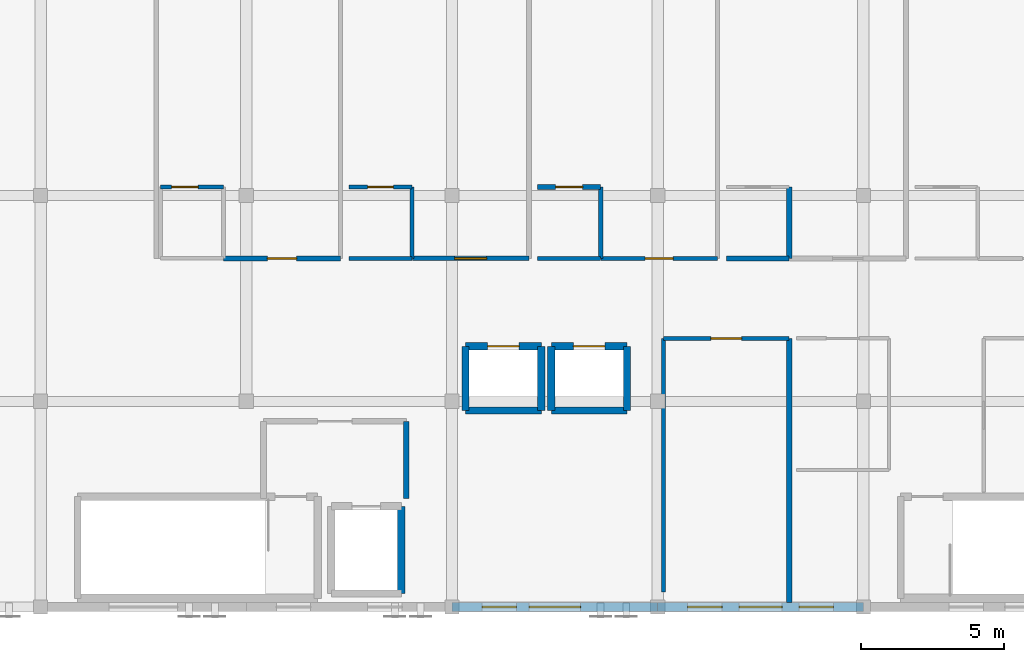
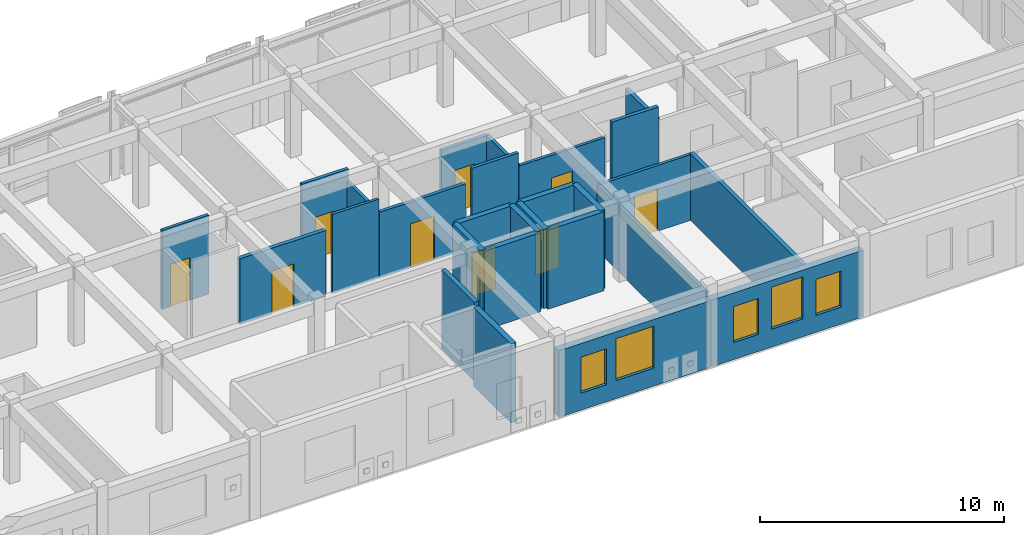
# One storey, part 21 of 24: 27 walls, 9 doors, 5 windows, 14 openings.
"""IFC4 building model written with IfcOpenShell, lengths in metres."""

import ifcopenshell
import ifcopenshell.guid

model = None  # the IFC model being written
_history = None  # IfcOwnerHistory: only IFC2X3 demands one
_inside = {}  # id of a spatial element -> (the spatial element, [elements in it])
_under = {}  # id of a project, library or spatial element -> (it, [spatial elements below it])
_declared = {}  # id of a project -> (the project, [libraries it declares])
_typed = {}  # id of a type object -> (the type object, [elements of that type])
_made_of = {}  # id of a material, layer set ... -> (it, [elements and type objects made of it])


def new_model(schema):
    """Start an empty IFC model of exactly this schema.

    Asked for "IFC4X3", IfcOpenShell would pick the latest addendum, in which some entities
    have other attributes; the version numbers below select the first issue.
    IFC2X3 requires an IfcOwnerHistory on every rooted entity: one is made here for all.
    """
    global model, _history
    if schema == "IFC4X3":
        model = ifcopenshell.file(schema_version=(4, 3, 0, 0))
    else:
        model = ifcopenshell.file(schema=schema)
    _inside.clear()
    _under.clear()
    _declared.clear()
    _typed.clear()
    _made_of.clear()
    _history = None
    if model.schema == "IFC2X3":
        org = make("IfcOrganization", Name="unknown")
        user = make(
            "IfcPersonAndOrganization",
            ThePerson=make("IfcPerson", FamilyName="unknown"),
            TheOrganization=org,
        )
        app = make(
            "IfcApplication",
            ApplicationDeveloper=org,
            Version="unknown",
            ApplicationFullName="unknown",
            ApplicationIdentifier="unknown",
        )
        _history = make(
            "IfcOwnerHistory",
            OwningUser=user,
            OwningApplication=app,
            ChangeAction="ADDED",
            CreationDate=0,
        )
    return model


def make(cls, **values):
    """One entity of the class cls with the attributes given. An attribute that is None is left unset."""
    return model.create_entity(
        cls, **{name: value for name, value in values.items() if value is not None}
    )


def rooted(cls, **values):
    """An entity with a GlobalId (a new one), such as an element, a storey or a relation."""
    return make(cls, GlobalId=ifcopenshell.guid.new(), OwnerHistory=_history, **values)


def si_unit(unit_type, name, prefix=None):
    """IfcSIUnit, for example si_unit("LENGTHUNIT", "METRE", prefix="MILLI")."""
    return make("IfcSIUnit", UnitType=unit_type, Prefix=prefix, Name=name)


def assignment(units):
    """IfcUnitAssignment: the units of a project."""
    return None if units is None else make("IfcUnitAssignment", Units=units)


def point(xyz):
    """IfcCartesianPoint."""
    return None if xyz is None else make("IfcCartesianPoint", Coordinates=xyz)


def direction(xyz):
    """IfcDirection."""
    return None if xyz is None else make("IfcDirection", DirectionRatios=xyz)


def frame(location, z_axis=None, x_axis=None):
    """IfcAxis2Placement3D, a coordinate frame: its origin and axes. An axis left out is left unset."""
    return make(
        "IfcAxis2Placement3D",
        Location=point(location),
        Axis=direction(z_axis),
        RefDirection=direction(x_axis),
    )


def frame_2d(location, x_axis=None):
    """IfcAxis2Placement2D, a coordinate frame in the plane: its origin and x axis."""
    return make(
        "IfcAxis2Placement2D", Location=point(location), RefDirection=direction(x_axis)
    )


def origin():
    """The frame at (0, 0, 0) with its axes left unset."""
    return frame((0.0, 0.0, 0.0))


def place(relative_to, where):
    """IfcLocalPlacement: puts the frame where relative to a parent placement (None: the world)."""
    return make(
        "IfcLocalPlacement", PlacementRelTo=relative_to, RelativePlacement=where
    )


def context(
    kind, dimensions, precision=None, world=None, true_north=None, identifier=None
):
    """IfcGeometricRepresentationContext, for example the 3D "Model" context."""
    return make(
        "IfcGeometricRepresentationContext",
        ContextIdentifier=identifier,
        ContextType=kind,
        CoordinateSpaceDimension=dimensions,
        Precision=precision,
        WorldCoordinateSystem=world,
        TrueNorth=true_north,
    )


def subcontext(parent, identifier, kind, view, scale=None):
    """IfcGeometricRepresentationSubContext, for example "Body" below "Model"."""
    return make(
        "IfcGeometricRepresentationSubContext",
        ContextIdentifier=identifier,
        ContextType=kind,
        ParentContext=parent,
        TargetScale=scale,
        TargetView=view,
    )


def project(units=None, contexts=None):
    """IfcProject with its units and contexts."""
    return rooted(
        "IfcProject",
        Name="project",
        RepresentationContexts=contexts,
        UnitsInContext=assignment(units),
    )


def spatial(cls, under=None, at=None, **own):
    """A site, building, storey or space (cls), placed at a placement, below another one or the project."""
    s = rooted(cls, ObjectPlacement=at, **own)
    if under is not None:
        _under.setdefault(under.id(), (under, []))[1].append(s)
    return s


def profile(cls, at=None, kind="AREA", **sizes):
    """A parametric profile (cls). Its sizes go by their IFC names, for example OverallWidth=200.0."""
    return make(cls, ProfileType=kind, Position=at, **sizes)


def rectangle(**sizes):
    """IfcRectangleProfileDef."""
    return profile("IfcRectangleProfileDef", **sizes)


def extrude(swept, where, along, depth):
    """IfcExtrudedAreaSolid: the profile swept, set in the frame where, extruded along a direction by depth."""
    return make(
        "IfcExtrudedAreaSolid",
        SweptArea=swept,
        Position=where,
        ExtrudedDirection=direction(along),
        Depth=depth,
    )


def shape(context_of_items, identifier, shape_type, items):
    """IfcShapeRepresentation: the items that make up one representation, for example the "Body"."""
    return make(
        "IfcShapeRepresentation",
        ContextOfItems=context_of_items,
        RepresentationIdentifier=identifier,
        RepresentationType=shape_type,
        Items=items,
    )


def material(Name=None, Category=None):
    """IfcMaterial."""
    return make("IfcMaterial", Name=Name, Category=Category)


def layer(
    of_material, thickness, ventilated=None, Name=None, Category=None, Priority=None
):
    """IfcMaterialLayer: one layer of a wall or slab, of a material (None: an air gap)."""
    return make(
        "IfcMaterialLayer",
        Material=of_material,
        LayerThickness=thickness,
        IsVentilated=ventilated,
        Name=Name,
        Category=Category,
        Priority=Priority,
    )


def layer_set(layers, Name=None):
    """IfcMaterialLayerSet."""
    return make("IfcMaterialLayerSet", MaterialLayers=layers, LayerSetName=Name)


def made_of(thing, what):
    """Note that an element or type object is made of a material, layer set ...; save() writes the relation."""
    if what is not None:
        _made_of.setdefault(what.id(), (what, []))[1].append(thing)
    return thing


def type_object(cls, material=None, **own):
    """A type object (cls), such as IfcWallType, which elements share."""
    return made_of(rooted(cls, **own), material)


def element(
    cls,
    number,
    at=None,
    inside=None,
    cuts=None,
    type_object=None,
    material=None,
    context=None,
    identifier="Body",
    shape_type=None,
    held_by="IfcProductDefinitionShape",
    body=None,
    shapes=None,
    **own,
):
    """One element of the class cls, such as IfcWall. Its Tag is "e" and its number.

    at: its placement. inside: the storey or other place that contains it. cuts: it is an
    opening in that element (IfcRelVoidsElement). A single representation is given by context,
    identifier, shape_type and body (its items); several are given by shapes. held_by: the class
    of the entity that holds the representations. save() writes the other relations.
    """
    e = rooted(cls, Tag="e%d" % number, ObjectPlacement=at, **own)
    if body is not None:
        shapes = [shape(context, identifier, shape_type, body)]
    if shapes is not None:
        e.Representation = make(held_by, Representations=shapes)
    if inside is not None:
        _inside.setdefault(inside.id(), (inside, []))[1].append(e)
    if cuts is not None:
        rooted(
            "IfcRelVoidsElement", RelatingBuildingElement=cuts, RelatedOpeningElement=e
        )
    if type_object is not None:
        _typed.setdefault(type_object.id(), (type_object, []))[1].append(e)
    return made_of(e, material)


def fill(opening, filler):
    """IfcRelFillsElement: the door or window that sits in an opening."""
    return rooted(
        "IfcRelFillsElement",
        RelatingOpeningElement=opening,
        RelatedBuildingElement=filler,
    )


def aggregate(whole, parts):
    """IfcRelAggregates: a whole, such as a stair, and the parts it consists of."""
    return rooted("IfcRelAggregates", RelatingObject=whole, RelatedObjects=parts)


def save(model, path):
    """Write the relations noted so far, then the file.

    IfcRelAggregates (storeys below a building ...), IfcRelContainedInSpatialStructure (elements
    in a storey), IfcRelDefinesByType, IfcRelAssociatesMaterial and IfcRelDeclares: one each for
    every whole, place, type object, material and project.
    """
    for whole, parts in _under.values():
        aggregate(whole, parts)
    for where, things in _inside.values():
        rooted(
            "IfcRelContainedInSpatialStructure",
            RelatedElements=things,
            RelatingStructure=where,
        )
    for kind, things in _typed.values():
        rooted("IfcRelDefinesByType", RelatedObjects=things, RelatingType=kind)
    for what, things in _made_of.values():
        rooted("IfcRelAssociatesMaterial", RelatedObjects=things, RelatingMaterial=what)
    for by, libraries in _declared.values():
        rooted("IfcRelDeclares", RelatingContext=by, RelatedDefinitions=libraries)
    model.write(path)


model = new_model("IFC4")

# Units and contexts
model_context = context("Model", 3, precision=1e-05, world=origin(), true_north=direction((0.0, 1.0)))
body_context = subcontext(model_context, "Body", "Model", "MODEL_VIEW")
ifc_project = project(units=[si_unit("LENGTHUNIT", "METRE"), si_unit("AREAUNIT", "SQUARE_METRE"), si_unit("VOLUMEUNIT", "CUBIC_METRE"), si_unit("PLANEANGLEUNIT", "RADIAN"), si_unit("MASSUNIT", "GRAM", prefix="KILO")], contexts=[model_context])

# Site, building, storey
site_placement = place(None, origin())
site = spatial("IfcSite", under=ifc_project, at=site_placement, CompositionType="ELEMENT")
building_placement = place(site_placement, origin())
building = spatial("IfcBuilding", under=site, at=building_placement, Name="Carrowvane Square Congress Hotel", CompositionType="ELEMENT")
storey_placement = place(building_placement, frame((0.0, 0.0, 44.39990234375)))
storey = spatial("IfcBuildingStorey", under=building, at=storey_placement, Name="L11", CompositionType="ELEMENT", Elevation=44.39990234375)

# Wall, openings, windows
ifc_material_1 = material(Name="Glazed terracotta rainscreen", Category="masonry")
ifc_layer_1 = layer(ifc_material_1, 0.330078125)
ifc_layer_set_1 = layer_set([ifc_layer_1], Name="Glazed terracotta rainscreen")
wall_type_1 = type_object("IfcWallType", Name="WL-EXT-TC330", PredefinedType="STANDARD", material=ifc_layer_set_1)
wall_1_placement = place(storey_placement, frame((98.0, 91.800048828125, 0.0), z_axis=(0.0, 0.0, 1.0), x_axis=(-1.0, 0.0, 0.0)))
wall_1 = element("IfcWall", 1, at=wall_1_placement, inside=storey, type_object=wall_type_1, Name="L11 exterior facade wall 609", PredefinedType="STANDARD", context=body_context, shape_type="SweptSolid", body=[
    extrude(rectangle(XDim=7.199951171875, YDim=0.330078125, at=frame_2d((3.60009765625, 0.0))), origin(), (0.0, 0.0, 1.0), 3.335205078125),
])
opening_1_placement = place(wall_1_placement, frame((2.85009765625, 0.0, 0.89990234375)))
opening_1 = element("IfcOpeningElement", 2, at=opening_1_placement, cuts=wall_1, Name="Opening W-09", PredefinedType="OPENING", context=body_context, shape_type="SweptSolid", body=[
    extrude(rectangle(XDim=1.5, YDim=2.10009765625, at=frame_2d((0.75, 1.050048828125))), frame((0.0, 0.175048828125, 0.0), z_axis=(0.0, -1.0, 0.0), x_axis=(1.0, 0.0, 0.0)), (0.0, 0.0, 1.0), 0.35009765625),
])
opening_2_placement = place(wall_1_placement, frame((1.050048828125, 0.0, 0.85009765625)))
opening_2 = element("IfcOpeningElement", 3, at=opening_2_placement, cuts=wall_1, Name="Opening W-01", PredefinedType="OPENING", context=body_context, shape_type="SweptSolid", body=[
    extrude(rectangle(XDim=1.199951171875, YDim=1.800048828125, at=frame_2d((0.60009765625, 0.89990234375))), frame((0.0, 0.175048828125, 0.0), z_axis=(0.0, -1.0, 0.0), x_axis=(1.0, 0.0, 0.0)), (0.0, 0.0, 1.0), 0.35009765625),
])
opening_3_placement = place(wall_1_placement, frame((4.949951171875, 0.0, 0.85009765625)))
opening_3 = element("IfcOpeningElement", 4, at=opening_3_placement, cuts=wall_1, Name="Opening W-01", PredefinedType="OPENING", context=body_context, shape_type="SweptSolid", body=[
    extrude(rectangle(XDim=1.199951171875, YDim=1.800048828125, at=frame_2d((0.60009765625, 0.89990234375))), frame((0.0, 0.175048828125, 0.0), z_axis=(0.0, -1.0, 0.0), x_axis=(1.0, 0.0, 0.0)), (0.0, 0.0, 1.0), 0.35009765625),
])
ifc_material_2 = material(Name="Double-glazed low-E glass", Category="glass")
window_type_1 = type_object("IfcWindowType", Name="WIN-01", PartitioningType="SINGLE_PANEL", PredefinedType="WINDOW", material=ifc_material_2)
window_1_placement = place(opening_2_placement, origin())
window_1 = element("IfcWindow", 5, at=window_1_placement, inside=storey, type_object=window_type_1, Name="L11 guest bedroom window 506", OverallHeight=1.800048828125, OverallWidth=1.199951171875, PartitioningType="SINGLE_PANEL", PredefinedType="WINDOW", context=body_context, shape_type="SweptSolid", body=[
    extrude(rectangle(XDim=1.199951171875, YDim=1.800048828125, at=frame_2d((0.60009765625, 0.89990234375))), frame((0.0, 0.030029296875, 0.0), z_axis=(0.0, -1.0, 0.0), x_axis=(1.0, 0.0, 0.0)), (0.0, 0.0, 1.0), 0.06005859375),
])
fill(opening_2, window_1)
window_2_placement = place(opening_3_placement, origin())
window_2 = element("IfcWindow", 6, at=window_2_placement, inside=storey, type_object=window_type_1, Name="L11 guest bedroom window 507", OverallHeight=1.800048828125, OverallWidth=1.199951171875, PartitioningType="SINGLE_PANEL", PredefinedType="WINDOW", context=body_context, shape_type="SweptSolid", body=[
    extrude(rectangle(XDim=1.199951171875, YDim=1.800048828125, at=frame_2d((0.60009765625, 0.89990234375))), frame((0.0, 0.030029296875, 0.0), z_axis=(0.0, -1.0, 0.0), x_axis=(1.0, 0.0, 0.0)), (0.0, 0.0, 1.0), 0.06005859375),
])
fill(opening_3, window_2)
ifc_material_3 = material(Name="Double-glazed low-E glass", Category="glass")
window_type_2 = type_object("IfcWindowType", Name="WIN-09", PartitioningType="SINGLE_PANEL", PredefinedType="WINDOW", material=ifc_material_3)
window_3_placement = place(opening_1_placement, origin())
window_3 = element("IfcWindow", 7, at=window_3_placement, inside=storey, type_object=window_type_2, Name="L11 facade window 505", OverallHeight=2.10009765625, OverallWidth=1.5, PartitioningType="SINGLE_PANEL", PredefinedType="WINDOW", context=body_context, shape_type="SweptSolid", body=[
    extrude(rectangle(XDim=1.5, YDim=2.10009765625, at=frame_2d((0.75, 1.050048828125))), frame((0.0, 0.030029296875, 0.0), z_axis=(0.0, -1.0, 0.0), x_axis=(1.0, 0.0, 0.0)), (0.0, 0.0, 1.0), 0.06005859375),
])
fill(opening_1, window_3)

wall_2_placement = place(storey_placement, frame((90.800048828125, 91.800048828125, 0.0), z_axis=(0.0, 0.0, 1.0), x_axis=(-1.0, 0.0, 0.0)))
wall_2 = element("IfcWall", 8, at=wall_2_placement, inside=storey, type_object=wall_type_1, Name="L11 exterior facade wall 610", PredefinedType="STANDARD", context=body_context, shape_type="SweptSolid", body=[
    extrude(rectangle(XDim=7.199951171875, YDim=0.330078125, at=frame_2d((3.60009765625, 0.0))), origin(), (0.0, 0.0, 1.0), 3.335205078125),
])
opening_4_placement = place(wall_2_placement, frame((2.699951171875, 0.0, 0.89990234375)))
opening_4 = element("IfcOpeningElement", 9, at=opening_4_placement, cuts=wall_2, Name="Opening W-10", PredefinedType="OPENING", context=body_context, shape_type="SweptSolid", body=[
    extrude(rectangle(XDim=1.800048828125, YDim=2.10009765625, at=frame_2d((0.89990234375, 1.050048828125))), frame((0.0, 0.175048828125, 0.0), z_axis=(0.0, -1.0, 0.0), x_axis=(1.0, 0.0, 0.0)), (0.0, 0.0, 1.0), 0.35009765625),
])
opening_5_placement = place(wall_2_placement, frame((4.949951171875, 0.0, 0.85009765625)))
opening_5 = element("IfcOpeningElement", 10, at=opening_5_placement, cuts=wall_2, Name="Opening W-01", PredefinedType="OPENING", context=body_context, shape_type="SweptSolid", body=[
    extrude(rectangle(XDim=1.199951171875, YDim=1.800048828125, at=frame_2d((0.60009765625, 0.89990234375))), frame((0.0, 0.175048828125, 0.0), z_axis=(0.0, -1.0, 0.0), x_axis=(1.0, 0.0, 0.0)), (0.0, 0.0, 1.0), 0.35009765625),
])
window_4_placement = place(opening_5_placement, origin())
window_4 = element("IfcWindow", 11, at=window_4_placement, inside=storey, type_object=window_type_1, Name="L11 guest bedroom window 509", OverallHeight=1.800048828125, OverallWidth=1.199951171875, PartitioningType="SINGLE_PANEL", PredefinedType="WINDOW", context=body_context, shape_type="SweptSolid", body=[
    extrude(rectangle(XDim=1.199951171875, YDim=1.800048828125, at=frame_2d((0.60009765625, 0.89990234375))), frame((0.0, 0.030029296875, 0.0), z_axis=(0.0, -1.0, 0.0), x_axis=(1.0, 0.0, 0.0)), (0.0, 0.0, 1.0), 0.06005859375),
])
fill(opening_5, window_4)
ifc_material_4 = material(Name="Double-glazed low-E glass", Category="glass")
window_type_3 = type_object("IfcWindowType", Name="WIN-10", PartitioningType="SINGLE_PANEL", PredefinedType="WINDOW", material=ifc_material_4)
window_5_placement = place(opening_4_placement, origin())
window_5 = element("IfcWindow", 12, at=window_5_placement, inside=storey, type_object=window_type_3, Name="L11 facade window 508", OverallHeight=2.10009765625, OverallWidth=1.800048828125, PartitioningType="SINGLE_PANEL", PredefinedType="WINDOW", context=body_context, shape_type="SweptSolid", body=[
    extrude(rectangle(XDim=1.800048828125, YDim=2.10009765625, at=frame_2d((0.89990234375, 1.050048828125))), frame((0.0, 0.030029296875, 0.0), z_axis=(0.0, -1.0, 0.0), x_axis=(1.0, 0.0, 0.0)), (0.0, 0.0, 1.0), 0.06005859375),
])
fill(opening_4, window_5)

# Wall, opening, door
ifc_material_5 = material(Name="Acoustic gypsum board", Category="gypsum")
ifc_layer_2 = layer(ifc_material_5, 0.155029296875)
ifc_layer_set_2 = layer_set([ifc_layer_2], Name="Acoustic gypsum board")
wall_type_2 = type_object("IfcWallType", Name="WL-FIR-155", PredefinedType="PARTITIONING", material=ifc_layer_set_2)
wall_3_placement = place(storey_placement, frame((86.2900390625, 104.0, 0.0), z_axis=(0.0, 0.0, 1.0), x_axis=(-1.0, 0.0, 0.0)))
wall_3 = element("IfcWall", 13, at=wall_3_placement, inside=storey, type_object=wall_type_2, Name="L11 Parkview Suite 1108 partition", PredefinedType="PARTITIONING", context=body_context, shape_type="SweptSolid", body=[
    extrude(rectangle(XDim=4.080078125, YDim=0.155029296875, at=frame_2d((2.0400390625, 0.0))), origin(), (0.0, 0.0, 1.0), 3.28515625),
])
opening_6_placement = place(wall_3_placement, frame((1.47998046875, 0.0, 0.0)))
opening_6 = element("IfcOpeningElement", 14, at=opening_6_placement, cuts=wall_3, Name="Opening FD-10", PredefinedType="OPENING", context=body_context, shape_type="SweptSolid", body=[
    extrude(rectangle(XDim=1.1201171875, YDim=2.199951171875, at=frame_2d((0.56005859375, 1.10009765625))), frame((0.0, 0.08740234375, 0.0), z_axis=(0.0, -1.0, 0.0), x_axis=(1.0, 0.0, 0.0)), (0.0, 0.0, 1.0), 0.175048828125),
])
ifc_material_6 = material(Name="European oak timber", Category="wood")
door_type_1 = type_object("IfcDoorType", Name="DR-FD30-1120x2200", OperationType="NOTDEFINED", PredefinedType="DOOR", material=ifc_material_6)
door_1_placement = place(opening_6_placement, origin())
door_1 = element("IfcDoor", 15, at=door_1_placement, inside=storey, type_object=door_type_1, Name="L11 Parkview Suite 1108 entrance door", OperationType="SINGLE_SWING_LEFT", OverallHeight=2.199951171875, OverallWidth=1.1201171875, PredefinedType="DOOR", context=body_context, shape_type="SweptSolid", body=[
    extrude(rectangle(XDim=1.1201171875, YDim=2.199951171875, at=frame_2d((0.56005859375, 1.10009765625))), frame((0.0, 0.02490234375, 0.0), z_axis=(0.0, -1.0, 0.0), x_axis=(1.0, 0.0, 0.0)), (0.0, 0.0, 1.0), 0.050048828125),
])
fill(opening_6, door_1)

# Wall
wall_4_placement = place(storey_placement, frame((88.800048828125, 106.5, 0.0), z_axis=(0.0, 0.0, 1.0), x_axis=(0.0, -1.0, 0.0)))
element("IfcWall", 16, at=wall_4_placement, inside=storey, type_object=wall_type_2, Name="L11 En-suite Bathroom 1109 partition", PredefinedType="PARTITIONING", context=body_context, shape_type="SweptSolid", body=[
    extrude(rectangle(XDim=2.5, YDim=0.155029296875, at=frame_2d((1.25, 0.0))), origin(), (0.0, 0.0, 1.0), 3.335205078125),
])

# Wall, opening, door
ifc_material_7 = material(Name="Acoustic gypsum board", Category="gypsum")
ifc_layer_3 = layer(ifc_material_7, 0.169921875)
ifc_layer_set_3 = layer_set([ifc_layer_3], Name="Acoustic gypsum board")
wall_type_3 = type_object("IfcWallType", Name="WL-FIR-170", PredefinedType="PARTITIONING", material=ifc_layer_set_3)
wall_5_placement = place(storey_placement, frame((86.60009765625, 106.5, 0.0), z_axis=(0.0, 0.0, 1.0), x_axis=(1.0, 0.0, 0.0)))
wall_5 = element("IfcWall", 17, at=wall_5_placement, inside=storey, type_object=wall_type_3, Name="L11 En-suite Bathroom 1109 partition", PredefinedType="PARTITIONING", context=body_context, shape_type="SweptSolid", body=[
    extrude(rectangle(XDim=2.199951171875, YDim=0.169921875, at=frame_2d((1.10009765625, 0.0))), origin(), (0.0, 0.0, 1.0), 3.335205078125),
])
opening_7_placement = place(wall_5_placement, frame((0.6298828125, 0.0, 0.0)))
opening_7 = element("IfcOpeningElement", 18, at=opening_7_placement, cuts=wall_5, Name="Opening ID-04", PredefinedType="OPENING", context=body_context, shape_type="SweptSolid", body=[
    extrude(rectangle(XDim=0.93994140625, YDim=2.1201171875, at=frame_2d((0.469970703125, 1.06005859375))), frame((0.0, 0.094970703125, 0.0), z_axis=(0.0, -1.0, 0.0), x_axis=(1.0, 0.0, 0.0)), (0.0, 0.0, 1.0), 0.18994140625),
])
ifc_material_8 = material(Name="European oak timber", Category="wood")
door_type_2 = type_object("IfcDoorType", Name="DR-INT-0940x2120", OperationType="NOTDEFINED", PredefinedType="DOOR", material=ifc_material_8)
door_2_placement = place(opening_7_placement, origin())
door_2 = element("IfcDoor", 19, at=door_2_placement, inside=storey, type_object=door_type_2, Name="L11 En-suite Bathroom 1109 door", OperationType="SINGLE_SWING_RIGHT", OverallHeight=2.1201171875, OverallWidth=0.93994140625, PredefinedType="DOOR", context=body_context, shape_type="SweptSolid", body=[
    extrude(rectangle(XDim=0.93994140625, YDim=2.1201171875, at=frame_2d((0.469970703125, 1.06005859375))), frame((0.0, 0.02490234375, 0.0), z_axis=(0.0, -1.0, 0.0), x_axis=(1.0, 0.0, 0.0)), (0.0, 0.0, 1.0), 0.050048828125),
])
fill(opening_7, door_2)

# Walls
wall_6_placement = place(storey_placement, frame((95.39990234375, 104.0, 0.0), z_axis=(0.0, 0.0, 1.0), x_axis=(-1.0, 0.0, 0.0)))
element("IfcWall", 20, at=wall_6_placement, inside=storey, type_object=wall_type_3, Name="L11 En-suite Bathroom 1110 partition", PredefinedType="PARTITIONING", context=body_context, shape_type="SweptSolid", body=[
    extrude(rectangle(XDim=2.199951171875, YDim=0.169921875, at=frame_2d((1.10009765625, 0.0))), origin(), (0.0, 0.0, 1.0), 3.9501953125),
])
ifc_material_9 = material(Name="Acoustic gypsum board", Category="gypsum")
ifc_layer_4 = layer(ifc_material_9, 0.18505859375)
ifc_layer_set_4 = layer_set([ifc_layer_4], Name="Acoustic gypsum board")
wall_type_4 = type_object("IfcWallType", Name="WL-FIR-185", PredefinedType="PARTITIONING", material=ifc_layer_set_4)
wall_7_placement = place(storey_placement, frame((95.39990234375, 101.199951171875, 0.0), z_axis=(0.0, 0.0, 1.0), x_axis=(0.0, -1.0, 0.0)))
element("IfcWall", 21, at=wall_7_placement, inside=storey, type_object=wall_type_4, Name="L11 L11 Housekeeping Linen Pantry partition", PredefinedType="PARTITIONING", context=body_context, shape_type="SweptSolid", body=[
    extrude(rectangle(XDim=9.239990234375, YDim=0.18505859375, at=frame_2d((4.6201171875, 0.0))), origin(), (0.0, 0.0, 1.0), 3.335205078125),
])

# Wall, opening, door
wall_8_placement = place(storey_placement, frame((79.68994140625, 104.0, 0.0), z_axis=(0.0, 0.0, 1.0), x_axis=(-1.0, 0.0, 0.0)))
wall_8 = element("IfcWall", 22, at=wall_8_placement, inside=storey, type_object=wall_type_4, Name="L11 Parkview Suite 1107 partition", PredefinedType="PARTITIONING", context=body_context, shape_type="SweptSolid", body=[
    extrude(rectangle(XDim=4.079833984375, YDim=0.18505859375, at=frame_2d((2.0400390625, 0.0))), origin(), (0.0, 0.0, 1.0), 3.28515625),
])
opening_8_placement = place(wall_8_placement, frame((1.530029296875, 0.0, 0.0)))
opening_8 = element("IfcOpeningElement", 23, at=opening_8_placement, cuts=wall_8, Name="Opening FD-08", PredefinedType="OPENING", context=body_context, shape_type="SweptSolid", body=[
    extrude(rectangle(XDim=1.02001953125, YDim=2.14990234375, at=frame_2d((0.510009765625, 1.074951171875))), frame((0.0, 0.1025390625, 0.0), z_axis=(0.0, -1.0, 0.0), x_axis=(1.0, 0.0, 0.0)), (0.0, 0.0, 1.0), 0.205078125),
])
ifc_material_10 = material(Name="European oak timber", Category="wood")
door_type_3 = type_object("IfcDoorType", Name="DR-FD30-1020x2150", OperationType="NOTDEFINED", PredefinedType="DOOR", material=ifc_material_10)
door_3_placement = place(opening_8_placement, origin())
door_3 = element("IfcDoor", 24, at=door_3_placement, inside=storey, type_object=door_type_3, Name="L11 Parkview Suite 1107 entrance door", OperationType="SINGLE_SWING_LEFT", OverallHeight=2.14990234375, OverallWidth=1.02001953125, PredefinedType="DOOR", context=body_context, shape_type="SweptSolid", body=[
    extrude(rectangle(XDim=1.02001953125, YDim=2.14990234375, at=frame_2d((0.510009765625, 1.074951171875))), frame((0.0, 0.02490234375, 0.0), z_axis=(0.0, -1.0, 0.0), x_axis=(1.0, 0.0, 0.0)), (0.0, 0.0, 1.0), 0.050048828125),
])
fill(opening_8, door_3)

# Walls
wall_9_placement = place(storey_placement, frame((95.39990234375, 106.5, 0.0), z_axis=(0.0, 0.0, 1.0), x_axis=(0.0, -1.0, 0.0)))
element("IfcWall", 25, at=wall_9_placement, inside=storey, type_object=wall_type_4, Name="L11 En-suite Bathroom 1110 partition", PredefinedType="PARTITIONING", context=body_context, shape_type="SweptSolid", body=[
    extrude(rectangle(XDim=2.5, YDim=0.18505859375, at=frame_2d((1.25, 0.0))), origin(), (0.0, 0.0, 1.0), 3.335205078125),
])
ifc_material_11 = material(Name="Acoustic gypsum board", Category="gypsum")
ifc_layer_5 = layer(ifc_material_11, 0.205078125)
ifc_layer_set_5 = layer_set([ifc_layer_5], Name="Acoustic gypsum board")
wall_type_5 = type_object("IfcWallType", Name="WL-FIR-205", PredefinedType="PARTITIONING", material=ifc_layer_set_5)
wall_10_placement = place(storey_placement, frame((82.0, 95.60009765625, 0.0), z_axis=(0.0, 0.0, 1.0), x_axis=(0.0, 1.0, 0.0)))
element("IfcWall", 26, at=wall_10_placement, inside=storey, type_object=wall_type_5, Name="L11 Firefighting Lobby C2 wall east", PredefinedType="PARTITIONING", context=body_context, shape_type="SweptSolid", body=[
    extrude(rectangle(XDim=2.699951171875, YDim=0.205078125, at=frame_2d((1.35009765625, 0.0))), origin(), (0.0, 0.0, 1.0), 3.9501953125),
])
ifc_material_12 = material(Name="Acoustic gypsum board", Category="gypsum")
ifc_layer_6 = layer(ifc_material_12, 0.1279296875)
ifc_layer_set_6 = layer_set([ifc_layer_6], Name="Acoustic gypsum board")
wall_type_6 = type_object("IfcWallType", Name="WL-PRT-128", PredefinedType="PARTITIONING", material=ifc_layer_set_6)
wall_11_placement = place(storey_placement, frame((82.199951171875, 104.0, 0.0), z_axis=(0.0, 0.0, 1.0), x_axis=(-1.0, 0.0, 0.0)))
element("IfcWall", 27, at=wall_11_placement, inside=storey, type_object=wall_type_6, Name="L11 En-suite Bathroom 1108 partition", PredefinedType="PARTITIONING", context=body_context, shape_type="SweptSolid", body=[
    extrude(rectangle(XDim=2.199951171875, YDim=0.1279296875, at=frame_2d((1.10009765625, 0.0))), origin(), (0.0, 0.0, 1.0), 3.9501953125),
])

# Wall, opening, door
ifc_material_13 = material(Name="Acoustic gypsum board", Category="gypsum")
ifc_layer_7 = layer(ifc_material_13, 0.137939453125)
ifc_layer_set_7 = layer_set([ifc_layer_7], Name="Acoustic gypsum board")
wall_type_7 = type_object("IfcWallType", Name="WL-PRT-138", PredefinedType="PARTITIONING", material=ifc_layer_set_7)
wall_12_placement = place(storey_placement, frame((91.0, 101.199951171875, 0.0), z_axis=(0.0, 0.0, 1.0), x_axis=(1.0, 0.0, 0.0)))
wall_12 = element("IfcWall", 28, at=wall_12_placement, inside=storey, type_object=wall_type_7, Name="L11 L11 Housekeeping Linen Pantry partition", PredefinedType="PARTITIONING", context=body_context, shape_type="SweptSolid", body=[
    extrude(rectangle(XDim=4.39990234375, YDim=0.137939453125, at=frame_2d((2.199951171875, 0.0))), origin(), (0.0, 0.0, 1.0), 3.28515625),
])
opening_9_placement = place(wall_12_placement, frame((1.659912109375, 0.0, 0.0)))
opening_9 = element("IfcOpeningElement", 29, at=opening_9_placement, cuts=wall_12, Name="Opening ID-08", PredefinedType="OPENING", context=body_context, shape_type="SweptSolid", body=[
    extrude(rectangle(XDim=1.080078125, YDim=2.14990234375, at=frame_2d((0.5400390625, 1.074951171875))), frame((0.0, 0.078857421875, 0.0), z_axis=(0.0, -1.0, 0.0), x_axis=(1.0, 0.0, 0.0)), (0.0, 0.0, 1.0), 0.157958984375),
])
ifc_material_14 = material(Name="European oak timber", Category="wood")
door_type_4 = type_object("IfcDoorType", Name="DR-INT-1080x2150", OperationType="NOTDEFINED", PredefinedType="DOOR", material=ifc_material_14)
door_4_placement = place(opening_9_placement, origin())
door_4 = element("IfcDoor", 30, at=door_4_placement, inside=storey, type_object=door_type_4, Name="L11 L11 Housekeeping Linen Pantry entrance door", OperationType="SINGLE_SWING_RIGHT", OverallHeight=2.14990234375, OverallWidth=1.080078125, PredefinedType="DOOR", context=body_context, shape_type="SweptSolid", body=[
    extrude(rectangle(XDim=1.080078125, YDim=2.14990234375, at=frame_2d((0.5400390625, 1.074951171875))), frame((0.0, 0.02490234375, 0.0), z_axis=(0.0, -1.0, 0.0), x_axis=(1.0, 0.0, 0.0)), (0.0, 0.0, 1.0), 0.050048828125),
])
fill(opening_9, door_4)

wall_13_placement = place(storey_placement, frame((73.39990234375, 106.5, 0.0), z_axis=(0.0, 0.0, 1.0), x_axis=(1.0, 0.0, 0.0)))
wall_13 = element("IfcWall", 31, at=wall_13_placement, inside=storey, type_object=wall_type_7, Name="L11 En-suite Bathroom 1107 partition", PredefinedType="PARTITIONING", context=body_context, shape_type="SweptSolid", body=[
    extrude(rectangle(XDim=2.2001953125, YDim=0.137939453125, at=frame_2d((1.10009765625, 0.0))), origin(), (0.0, 0.0, 1.0), 3.9501953125),
])
opening_10_placement = place(wall_13_placement, frame((0.385009765625, 0.0, 0.0)))
opening_10 = element("IfcOpeningElement", 32, at=opening_10_placement, cuts=wall_13, Name="Opening ID-18", PredefinedType="OPENING", context=body_context, shape_type="SweptSolid", body=[
    extrude(rectangle(XDim=0.929931640625, YDim=2.1298828125, at=frame_2d((0.46484375, 1.06494140625))), frame((0.0, 0.078857421875, 0.0), z_axis=(0.0, -1.0, 0.0), x_axis=(1.0, 0.0, 0.0)), (0.0, 0.0, 1.0), 0.157958984375),
])
ifc_material_15 = material(Name="European oak timber", Category="wood")
door_type_5 = type_object("IfcDoorType", Name="DR-INT-0930x2130", OperationType="NOTDEFINED", PredefinedType="DOOR", material=ifc_material_15)
door_5_placement = place(opening_10_placement, origin())
door_5 = element("IfcDoor", 33, at=door_5_placement, inside=storey, type_object=door_type_5, Name="L11 En-suite Bathroom 1107 door", OperationType="SINGLE_SWING_RIGHT", OverallHeight=2.1298828125, OverallWidth=0.929931640625, PredefinedType="DOOR", context=body_context, shape_type="SweptSolid", body=[
    extrude(rectangle(XDim=0.929931640625, YDim=2.1298828125, at=frame_2d((0.46484375, 1.06494140625))), frame((0.0, 0.02490234375, 0.0), z_axis=(0.0, -1.0, 0.0), x_axis=(1.0, 0.0, 0.0)), (0.0, 0.0, 1.0), 0.050048828125),
])
fill(opening_10, door_5)

# Wall
wall_14_placement = place(storey_placement, frame((82.199951171875, 106.5, 0.0), z_axis=(0.0, 0.0, 1.0), x_axis=(0.0, -1.0, 0.0)))
element("IfcWall", 34, at=wall_14_placement, inside=storey, type_object=wall_type_7, Name="L11 En-suite Bathroom 1108 partition", PredefinedType="PARTITIONING", context=body_context, shape_type="SweptSolid", body=[
    extrude(rectangle(XDim=2.5, YDim=0.137939453125, at=frame_2d((1.25, 0.0))), origin(), (0.0, 0.0, 1.0), 3.335205078125),
])

# Wall, opening, door
wall_15_placement = place(storey_placement, frame((92.889892578125, 104.0, 0.0), z_axis=(0.0, 0.0, 1.0), x_axis=(-1.0, 0.0, 0.0)))
wall_15 = element("IfcWall", 35, at=wall_15_placement, inside=storey, type_object=wall_type_7, Name="L11 Parkview Suite 1109 partition", PredefinedType="PARTITIONING", context=body_context, shape_type="SweptSolid", body=[
    extrude(rectangle(XDim=4.079833984375, YDim=0.137939453125, at=frame_2d((2.0400390625, 0.0))), origin(), (0.0, 0.0, 1.0), 3.28515625),
])
opening_11_placement = place(wall_15_placement, frame((1.550048828125, 0.0, 0.0)))
opening_11 = element("IfcOpeningElement", 36, at=opening_11_placement, cuts=wall_15, Name="Opening FD-07", PredefinedType="OPENING", context=body_context, shape_type="SweptSolid", body=[
    extrude(rectangle(XDim=0.97998046875, YDim=2.14990234375, at=frame_2d((0.489990234375, 1.074951171875))), frame((0.0, 0.078857421875, 0.0), z_axis=(0.0, -1.0, 0.0), x_axis=(1.0, 0.0, 0.0)), (0.0, 0.0, 1.0), 0.157958984375),
])
ifc_material_16 = material(Name="European oak timber", Category="wood")
door_type_6 = type_object("IfcDoorType", Name="DR-FD30-0980x2150", OperationType="NOTDEFINED", PredefinedType="DOOR", material=ifc_material_16)
door_6_placement = place(opening_11_placement, origin())
door_6 = element("IfcDoor", 37, at=door_6_placement, inside=storey, type_object=door_type_6, Name="L11 Parkview Suite 1109 entrance door", OperationType="SINGLE_SWING_LEFT", OverallHeight=2.14990234375, OverallWidth=0.97998046875, PredefinedType="DOOR", context=body_context, shape_type="SweptSolid", body=[
    extrude(rectangle(XDim=0.97998046875, YDim=2.14990234375, at=frame_2d((0.489990234375, 1.074951171875))), frame((0.0, 0.02490234375, 0.0), z_axis=(0.0, -1.0, 0.0), x_axis=(1.0, 0.0, 0.0)), (0.0, 0.0, 1.0), 0.050048828125),
])
fill(opening_11, door_6)

# Wall
ifc_material_17 = material(Name="Acoustic gypsum board", Category="gypsum")
ifc_layer_8 = layer(ifc_material_17, 0.14794921875)
ifc_layer_set_8 = layer_set([ifc_layer_8], Name="Acoustic gypsum board")
wall_type_8 = type_object("IfcWallType", Name="WL-PRT-148", PredefinedType="PARTITIONING", material=ifc_layer_set_8)
wall_16_placement = place(storey_placement, frame((91.0, 92.320068359375, 0.0), z_axis=(0.0, 0.0, 1.0), x_axis=(0.0, 1.0, 0.0)))
element("IfcWall", 38, at=wall_16_placement, inside=storey, type_object=wall_type_8, Name="L11 L11 Housekeeping Linen Pantry partition", PredefinedType="PARTITIONING", context=body_context, shape_type="SweptSolid", body=[
    extrude(rectangle(XDim=8.8798828125, YDim=0.14794921875, at=frame_2d((4.43994140625, 0.0))), origin(), (0.0, 0.0, 1.0), 3.28515625),
])

# Wall, opening, door
wall_17_placement = place(storey_placement, frame((80.0, 106.5, 0.0), z_axis=(0.0, 0.0, 1.0), x_axis=(1.0, 0.0, 0.0)))
wall_17 = element("IfcWall", 39, at=wall_17_placement, inside=storey, type_object=wall_type_8, Name="L11 En-suite Bathroom 1108 partition", PredefinedType="PARTITIONING", context=body_context, shape_type="SweptSolid", body=[
    extrude(rectangle(XDim=2.199951171875, YDim=0.14794921875, at=frame_2d((1.10009765625, 0.0))), origin(), (0.0, 0.0, 1.0), 3.9501953125),
])
opening_12_placement = place(wall_17_placement, frame((0.64990234375, 0.0, 0.0)))
opening_12 = element("IfcOpeningElement", 40, at=opening_12_placement, cuts=wall_17, Name="Opening ID-02", PredefinedType="OPENING", context=body_context, shape_type="SweptSolid", body=[
    extrude(rectangle(XDim=0.89990234375, YDim=2.080078125, at=frame_2d((0.449951171875, 1.0400390625))), frame((0.0, 0.083984375, 0.0), z_axis=(0.0, -1.0, 0.0), x_axis=(1.0, 0.0, 0.0)), (0.0, 0.0, 1.0), 0.16796875),
])
ifc_material_18 = material(Name="European oak timber", Category="wood")
door_type_7 = type_object("IfcDoorType", Name="DR-INT-0900x2080", OperationType="NOTDEFINED", PredefinedType="DOOR", material=ifc_material_18)
door_7_placement = place(opening_12_placement, origin())
door_7 = element("IfcDoor", 41, at=door_7_placement, inside=storey, type_object=door_type_7, Name="L11 En-suite Bathroom 1108 door", OperationType="SINGLE_SWING_RIGHT", OverallHeight=2.080078125, OverallWidth=0.89990234375, PredefinedType="DOOR", context=body_context, shape_type="SweptSolid", body=[
    extrude(rectangle(XDim=0.89990234375, YDim=2.080078125, at=frame_2d((0.449951171875, 1.0400390625))), frame((0.0, 0.02490234375, 0.0), z_axis=(0.0, -1.0, 0.0), x_axis=(1.0, 0.0, 0.0)), (0.0, 0.0, 1.0), 0.050048828125),
])
fill(opening_12, door_7)

# Walls
wall_18_placement = place(storey_placement, frame((88.800048828125, 104.0, 0.0), z_axis=(0.0, 0.0, 1.0), x_axis=(-1.0, 0.0, 0.0)))
element("IfcWall", 42, at=wall_18_placement, inside=storey, type_object=wall_type_8, Name="L11 En-suite Bathroom 1109 partition", PredefinedType="PARTITIONING", context=body_context, shape_type="SweptSolid", body=[
    extrude(rectangle(XDim=2.199951171875, YDim=0.14794921875, at=frame_2d((1.10009765625, 0.0))), origin(), (0.0, 0.0, 1.0), 3.9501953125),
])
ifc_material_19 = material(Name="Concrete C40/50", Category="concrete")
ifc_layer_9 = layer(ifc_material_19, 0.25)
ifc_layer_set_9 = layer_set([ifc_layer_9], Name="Concrete C40/50")
wall_type_9 = type_object("IfcWallType", Name="WL-SHR-250", PredefinedType="SHEAR", material=ifc_layer_set_9)
wall_19_placement = place(storey_placement, frame((81.824951171875, 92.27490234375, 0.0), z_axis=(0.0, 0.0, 1.0), x_axis=(0.0, 1.0, 0.0)))
element("IfcWall", 43, at=wall_19_placement, inside=storey, type_object=wall_type_9, Name="L11 FFL-2 shaft wall east", PredefinedType="SHEAR", context=body_context, shape_type="SweptSolid", body=[
    extrude(rectangle(XDim=3.050048828125, YDim=0.25, at=frame_2d((1.52490234375, 0.0))), origin(), (0.0, 0.0, 1.0), 3.9501953125),
])
wall_20_placement = place(storey_placement, frame((84.074951171875, 98.675048828125, 0.0), z_axis=(0.0, 0.0, 1.0), x_axis=(1.0, 0.0, 0.0)))
element("IfcWall", 44, at=wall_20_placement, inside=storey, type_object=wall_type_9, Name="L11 HL-1 shaft wall south", PredefinedType="SHEAR", context=body_context, shape_type="SweptSolid", body=[
    extrude(rectangle(XDim=2.650146484375, YDim=0.25, at=frame_2d((1.3251953125, 0.0))), origin(), (0.0, 0.0, 1.0), 3.9501953125),
])
wall_21_placement = place(storey_placement, frame((86.72509765625, 98.675048828125, 0.0), z_axis=(0.0, 0.0, 1.0), x_axis=(0.0, 1.0, 0.0)))
element("IfcWall", 45, at=wall_21_placement, inside=storey, type_object=wall_type_9, Name="L11 HL-1 shaft wall east", PredefinedType="SHEAR", context=body_context, shape_type="SweptSolid", body=[
    extrude(rectangle(XDim=2.25, YDim=0.25, at=frame_2d((1.125, 0.0))), origin(), (0.0, 0.0, 1.0), 3.9501953125),
])

# Wall, opening, door
wall_22_placement = place(storey_placement, frame((86.72509765625, 100.925048828125, 0.0), z_axis=(0.0, 0.0, 1.0), x_axis=(-1.0, 0.0, 0.0)))
wall_22 = element("IfcWall", 46, at=wall_22_placement, inside=storey, type_object=wall_type_9, Name="L11 HL-1 shaft wall north", PredefinedType="SHEAR", context=body_context, shape_type="SweptSolid", body=[
    extrude(rectangle(XDim=2.650146484375, YDim=0.25, at=frame_2d((1.3251953125, 0.0))), origin(), (0.0, 0.0, 1.0), 3.9501953125),
])
opening_13_placement = place(wall_22_placement, frame((0.77490234375, 0.0, 0.0)))
opening_13 = element("IfcOpeningElement", 47, at=opening_13_placement, cuts=wall_22, Name="Opening LD-HL-1", PredefinedType="OPENING", context=body_context, shape_type="SweptSolid", body=[
    extrude(rectangle(XDim=1.10009765625, YDim=2.14990234375, at=frame_2d((0.550048828125, 1.074951171875))), frame((0.0, 0.135009765625, 0.0), z_axis=(0.0, -1.0, 0.0), x_axis=(1.0, 0.0, 0.0)), (0.0, 0.0, 1.0), 0.27001953125),
])
ifc_material_20 = material(Name="Stainless steel 316", Category="steel")
door_type_8 = type_object("IfcDoorType", Name="DR-LD-1100x2150", OperationType="DOUBLE_DOOR_SLIDING", PredefinedType="DOOR", material=ifc_material_20)
door_8_placement = place(opening_13_placement, origin())
door_8 = element("IfcDoor", 48, at=door_8_placement, inside=storey, type_object=door_type_8, Name="L11 HL-1 sliding lift landing door", OperationType="DOUBLE_DOOR_SLIDING", OverallHeight=2.14990234375, OverallWidth=1.10009765625, PredefinedType="DOOR", context=body_context, shape_type="SweptSolid", body=[
    extrude(rectangle(XDim=1.10009765625, YDim=2.14990234375, at=frame_2d((0.550048828125, 1.074951171875))), frame((0.0, 0.02490234375, 0.0), z_axis=(0.0, -1.0, 0.0), x_axis=(1.0, 0.0, 0.0)), (0.0, 0.0, 1.0), 0.050048828125),
])
fill(opening_13, door_8)

# Walls
wall_23_placement = place(storey_placement, frame((84.074951171875, 100.925048828125, 0.0), z_axis=(0.0, 0.0, 1.0), x_axis=(0.0, -1.0, 0.0)))
element("IfcWall", 49, at=wall_23_placement, inside=storey, type_object=wall_type_9, Name="L11 HL-1 shaft wall west", PredefinedType="SHEAR", context=body_context, shape_type="SweptSolid", body=[
    extrude(rectangle(XDim=2.25, YDim=0.25, at=frame_2d((1.125, 0.0))), origin(), (0.0, 0.0, 1.0), 3.9501953125),
])
wall_24_placement = place(storey_placement, frame((87.074951171875, 98.675048828125, 0.0), z_axis=(0.0, 0.0, 1.0), x_axis=(1.0, 0.0, 0.0)))
element("IfcWall", 50, at=wall_24_placement, inside=storey, type_object=wall_type_9, Name="L11 HL-2 shaft wall south", PredefinedType="SHEAR", context=body_context, shape_type="SweptSolid", body=[
    extrude(rectangle(XDim=2.650146484375, YDim=0.25, at=frame_2d((1.3251953125, 0.0))), origin(), (0.0, 0.0, 1.0), 3.9501953125),
])
wall_25_placement = place(storey_placement, frame((89.72509765625, 98.675048828125, 0.0), z_axis=(0.0, 0.0, 1.0), x_axis=(0.0, 1.0, 0.0)))
element("IfcWall", 51, at=wall_25_placement, inside=storey, type_object=wall_type_9, Name="L11 HL-2 shaft wall east", PredefinedType="SHEAR", context=body_context, shape_type="SweptSolid", body=[
    extrude(rectangle(XDim=2.25, YDim=0.25, at=frame_2d((1.125, 0.0))), origin(), (0.0, 0.0, 1.0), 3.9501953125),
])

# Wall, opening, door
wall_26_placement = place(storey_placement, frame((89.72509765625, 100.925048828125, 0.0), z_axis=(0.0, 0.0, 1.0), x_axis=(-1.0, 0.0, 0.0)))
wall_26 = element("IfcWall", 52, at=wall_26_placement, inside=storey, type_object=wall_type_9, Name="L11 HL-2 shaft wall north", PredefinedType="SHEAR", context=body_context, shape_type="SweptSolid", body=[
    extrude(rectangle(XDim=2.650146484375, YDim=0.25, at=frame_2d((1.3251953125, 0.0))), origin(), (0.0, 0.0, 1.0), 3.9501953125),
])
opening_14_placement = place(wall_26_placement, frame((0.77490234375, 0.0, 0.0)))
opening_14 = element("IfcOpeningElement", 53, at=opening_14_placement, cuts=wall_26, Name="Opening LD-HL-2", PredefinedType="OPENING", context=body_context, shape_type="SweptSolid", body=[
    extrude(rectangle(XDim=1.10009765625, YDim=2.14990234375, at=frame_2d((0.550048828125, 1.074951171875))), frame((0.0, 0.135009765625, 0.0), z_axis=(0.0, -1.0, 0.0), x_axis=(1.0, 0.0, 0.0)), (0.0, 0.0, 1.0), 0.27001953125),
])
door_9_placement = place(opening_14_placement, origin())
door_9 = element("IfcDoor", 54, at=door_9_placement, inside=storey, type_object=door_type_8, Name="L11 HL-2 sliding lift landing door", OperationType="DOUBLE_DOOR_SLIDING", OverallHeight=2.14990234375, OverallWidth=1.10009765625, PredefinedType="DOOR", context=body_context, shape_type="SweptSolid", body=[
    extrude(rectangle(XDim=1.10009765625, YDim=2.14990234375, at=frame_2d((0.550048828125, 1.074951171875))), frame((0.0, 0.02490234375, 0.0), z_axis=(0.0, -1.0, 0.0), x_axis=(1.0, 0.0, 0.0)), (0.0, 0.0, 1.0), 0.050048828125),
])
fill(opening_14, door_9)

# Wall
wall_27_placement = place(storey_placement, frame((87.074951171875, 100.925048828125, 0.0), z_axis=(0.0, 0.0, 1.0), x_axis=(0.0, -1.0, 0.0)))
element("IfcWall", 55, at=wall_27_placement, inside=storey, type_object=wall_type_9, Name="L11 HL-2 shaft wall west", PredefinedType="SHEAR", context=body_context, shape_type="SweptSolid", body=[
    extrude(rectangle(XDim=2.25, YDim=0.25, at=frame_2d((1.125, 0.0))), origin(), (0.0, 0.0, 1.0), 3.9501953125),
])

save(model, "model.ifc")
